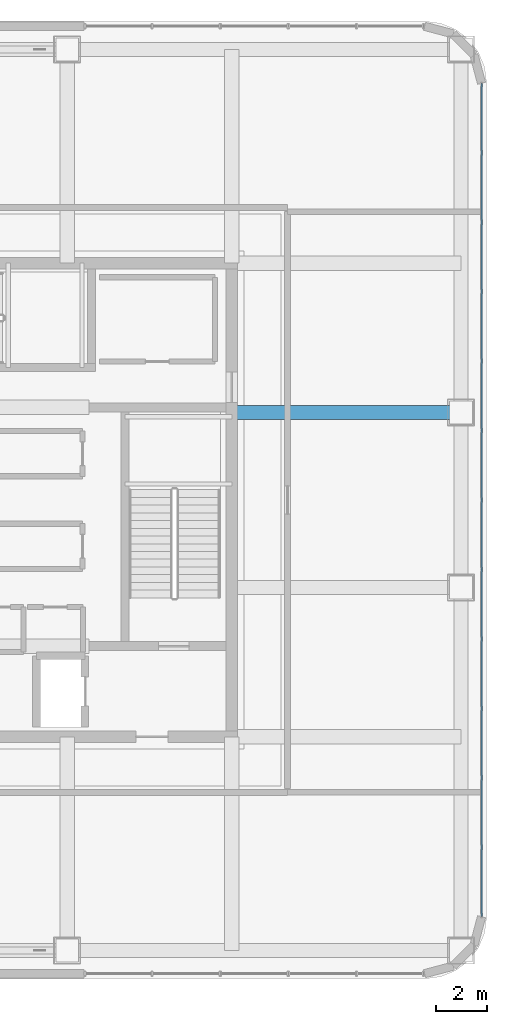
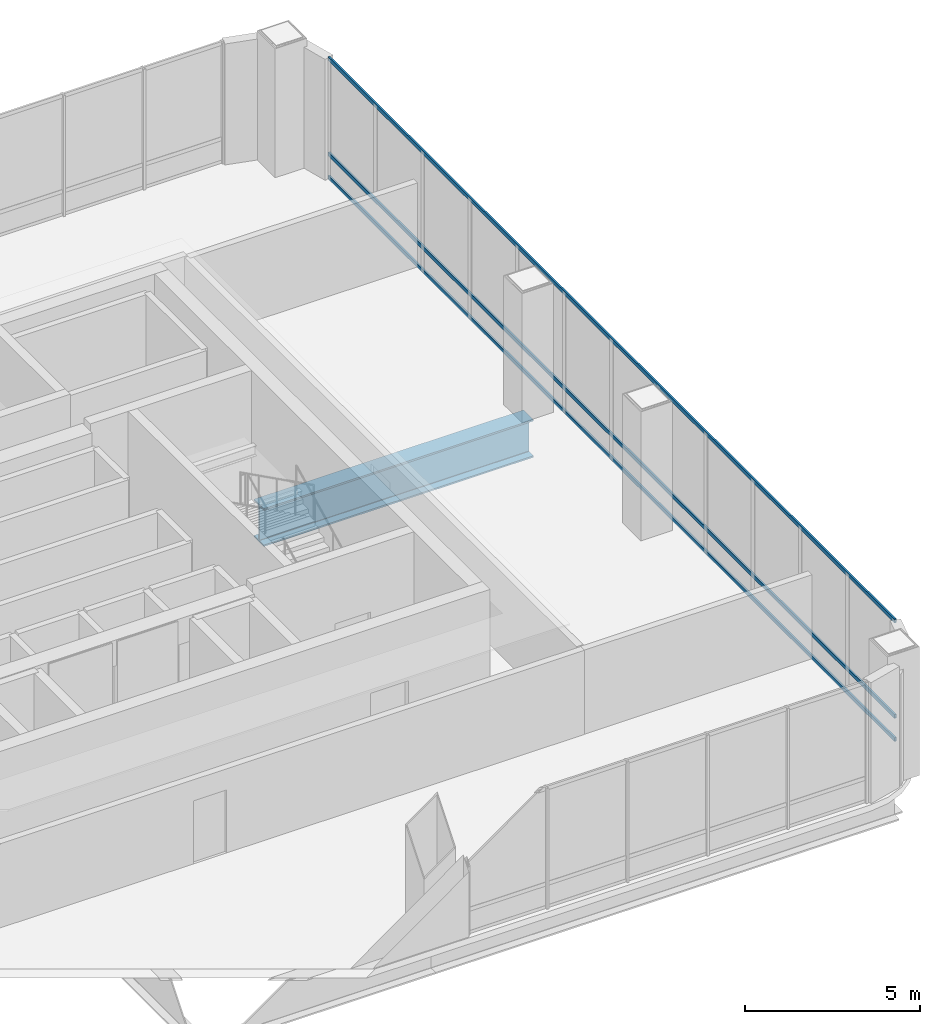
# One storey, part 17 of 33: 3 members, 1 beam, 1 element without a shape of its own.
"""IFC4 building model written with IfcOpenShell, lengths in metres."""

from ifc_helpers import new_model, si_unit, direction, frame, origin, origin_2d, place, context, subcontext, project, spatial, hollow_rectangle, i_section, extrude, material, material_profile, profile_set, type_object, element, aggregate, save


model = new_model("IFC4")

# Units and contexts
model_context = context("Model", 3, precision=1e-05, world=origin(), true_north=direction((0.0, 1.0)))
body_context = subcontext(model_context, "Body", "Model", "MODEL_VIEW")
ifc_project = project(units=[si_unit("LENGTHUNIT", "METRE"), si_unit("AREAUNIT", "SQUARE_METRE"), si_unit("VOLUMEUNIT", "CUBIC_METRE"), si_unit("PLANEANGLEUNIT", "RADIAN"), si_unit("MASSUNIT", "GRAM", prefix="KILO")], contexts=[model_context])

# Site, building, storey
site_placement = place(None, origin())
site = spatial("IfcSite", under=ifc_project, at=site_placement, CompositionType="ELEMENT")
building_placement = place(site_placement, origin())
building = spatial("IfcBuilding", under=site, at=building_placement, Name="Punatoya Terracotta Tower", CompositionType="ELEMENT")
storey_placement = place(building_placement, frame((0.0, 0.0, 348.300048828125)))
storey = spatial("IfcBuildingStorey", under=building, at=storey_placement, Name="L82", CompositionType="ELEMENT", Elevation=348.300048828125)

# Beam
ifc_material_1 = material(Name="Steel S460", Category="steel")
ifc_material_profile_1 = material_profile(ifc_material_1, i_section(OverallWidth=0.56005859375, OverallDepth=1.320068359375, WebThickness=0.035888671875, FlangeThickness=0.054931640625, FilletRadius=0.01806640625, at=origin_2d()))
ifc_profile_set_1 = profile_set([ifc_material_profile_1], Name="Steel S460")
beam_type = type_object("IfcBeamType", Name="BM-TG-BLK", PredefinedType="BEAM", material=ifc_profile_set_1)
beam_placement = place(storey_placement, frame((10.199951171875, 3.39990234375, -0.880126953125), z_axis=(1.0, 0.0, 0.0), x_axis=(0.0, 1.0, 0.0)))
element("IfcBeam", 1, at=beam_placement, inside=storey, type_object=beam_type, Name="BM-L82-PR-EE", PredefinedType="BEAM", context=body_context, shape_type="SweptSolid", body=[
    extrude(i_section(OverallWidth=0.56005859375, OverallDepth=1.320068359375, WebThickness=0.035888671875, FlangeThickness=0.054931640625, FilletRadius=0.01806640625, at=origin_2d()), origin(), (0.0, 0.0, 1.0), 8.900146484375),
])

# Curtain wall, members
ifc_material_2 = material(Name="Aluminium 6063-T6 + Double Low-E Glass", Category="aluminium")
curtain_wall_type = type_object("IfcCurtainWallType", Name="CW-CRN", PredefinedType="NOTDEFINED", material=ifc_material_2)
curtain_wall_placement = place(storey_placement, origin())
curtain_wall = element("IfcCurtainWall", 2, at=curtain_wall_placement, inside=storey, type_object=curtain_wall_type, Name="L82 Curtain Wall CW-L82-E05-1", PredefinedType="NOTDEFINED")
ifc_material_3 = material(Name="Aluminium 6063-T6", Category="aluminium")
ifc_material_profile_2 = material_profile(ifc_material_3, hollow_rectangle(XDim=0.06201171875, YDim=0.135009765625, WallThickness=0.00390625, at=origin_2d()))
ifc_profile_set_2 = profile_set([ifc_material_profile_2], Name="Aluminium 6063-T6")
member_type = type_object("IfcMemberType", Name="CW-TRN-CRN", PredefinedType="USERDEFINED", material=ifc_profile_set_2)
member_1_placement = place(storey_placement, frame((19.89990234375, -16.18701171875, 0.0400390625), z_axis=(0.0, 1.0, 0.0), x_axis=(-1.0, 0.0, 0.0)))
member_1 = element("IfcMember", 3, at=member_1_placement, type_object=member_type, Name="CW-L82-E05-1 Transom 1", ObjectType="TRANSOM", PredefinedType="USERDEFINED", context=body_context, shape_type="SweptSolid", body=[
    extrude(hollow_rectangle(XDim=0.06201171875, YDim=0.135009765625, WallThickness=0.00390625, at=origin_2d()), origin(), (0.0, 0.0, 1.0), 32.3740234375),
])
member_2_placement = place(storey_placement, frame((19.89990234375, -16.18701171875, 0.849853515625), z_axis=(0.0, 1.0, 0.0), x_axis=(-1.0, 0.0, 0.0)))
member_2 = element("IfcMember", 4, at=member_2_placement, type_object=member_type, Name="CW-L82-E05-1 Transom 2", ObjectType="TRANSOM", PredefinedType="USERDEFINED", context=body_context, shape_type="SweptSolid", body=[
    extrude(hollow_rectangle(XDim=0.06201171875, YDim=0.135009765625, WallThickness=0.00390625, at=origin_2d()), origin(), (0.0, 0.0, 1.0), 32.3740234375),
])
member_3_placement = place(storey_placement, frame((19.89990234375, -16.18701171875, 4.179931640625), z_axis=(0.0, 1.0, 0.0), x_axis=(-1.0, 0.0, 0.0)))
member_3 = element("IfcMember", 5, at=member_3_placement, type_object=member_type, Name="CW-L82-E05-1 Transom 3", ObjectType="TRANSOM", PredefinedType="USERDEFINED", context=body_context, shape_type="SweptSolid", body=[
    extrude(hollow_rectangle(XDim=0.06201171875, YDim=0.135009765625, WallThickness=0.00390625, at=origin_2d()), origin(), (0.0, 0.0, 1.0), 32.3740234375),
])
aggregate(curtain_wall, [member_1, member_2, member_3])

save(model, "model.ifc")
